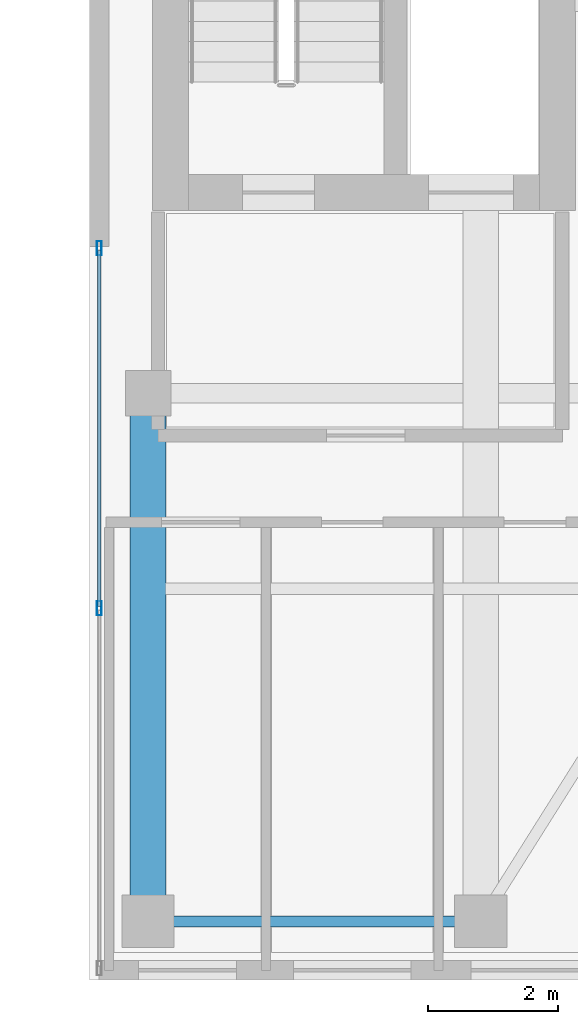
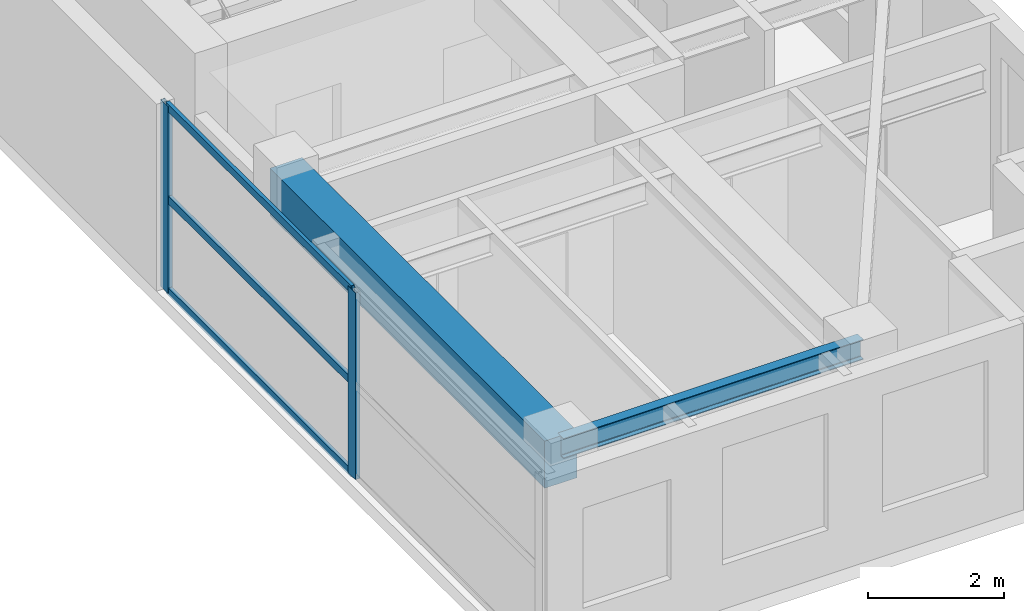
# One storey, part 5 of 23: 5 members, 2 beams, 1 element without a shape of its own.
"""IFC4 building model written with IfcOpenShell, lengths in metres."""

from ifc_helpers import new_model, si_unit, direction, frame, origin, origin_2d, place, context, subcontext, project, spatial, rectangle, hollow_rectangle, i_section, extrude, source, transform, mapped, material, layer, layer_set, material_profile, profile_set, type_object, element, aggregate, save


model = new_model("IFC4")

# Units and contexts
model_context = context("Model", 3, precision=1e-05, world=origin(), true_north=direction((0.0, 1.0)))
body_context = subcontext(model_context, "Body", "Model", "MODEL_VIEW")
ifc_project = project(units=[si_unit("LENGTHUNIT", "METRE"), si_unit("AREAUNIT", "SQUARE_METRE"), si_unit("VOLUMEUNIT", "CUBIC_METRE"), si_unit("PLANEANGLEUNIT", "RADIAN"), si_unit("MASSUNIT", "GRAM", prefix="KILO")], contexts=[model_context])

# Site, building, storey
site_placement = place(None, origin())
site = spatial("IfcSite", under=ifc_project, at=site_placement, CompositionType="ELEMENT")
building_placement = place(site_placement, origin())
building = spatial("IfcBuilding", under=site, at=building_placement, Name="Khoralis Quay Care Tower", CompositionType="ELEMENT")
storey_placement = place(building_placement, frame((0.0, 0.0, 252.89990234375)))
storey = spatial("IfcBuildingStorey", under=building, at=storey_placement, Name="L66", CompositionType="ELEMENT", Elevation=252.89990234375)

# Beams
ifc_material_1 = material(Name="Steel S355", Category="steel")
ifc_material_profile_1 = material_profile(ifc_material_1, i_section(OverallWidth=0.169921875, OverallDepth=0.360107421875, WebThickness=0.008056640625, FlangeThickness=0.0126953125, FilletRadius=0.01806640625, at=origin_2d()), Name="Steel S355")
ifc_profile_set_1 = profile_set([ifc_material_profile_1], Name="Steel S355")
beam_type_1 = type_object("IfcBeamType", Name="BM-IPE360", PredefinedType="SPANDREL", material=ifc_profile_set_1)
shared_shape_1 = source(origin(), body_context, "Body", "SweptSolid", [
    extrude(i_section(OverallWidth=0.169921875, OverallDepth=0.360107421875, WebThickness=0.008056640625, FlangeThickness=0.0126953125, FilletRadius=0.01806640625, at=origin_2d()), origin(), (0.0, 0.0, 1.0), 5.10009765625),
])
beam_1_placement = place(storey_placement, frame((30.89990234375, 3.89990234375, 3.18017578125), z_axis=(1.0, 0.0, 0.0), x_axis=(0.0, 1.0, 0.0)))
element("IfcBeam", 1, at=beam_1_placement, inside=storey, type_object=beam_type_1, Name="BM-TSP-L66-02", PredefinedType="SPANDREL", context=body_context, shape_type="MappedRepresentation", body=[
    mapped(shared_shape_1, transform((0.0, 0.0, 0.0), scale=1.0)),
])
ifc_material_2 = material(Name="Concrete C50/60", Category="concrete")
ifc_material_profile_2 = material_profile(ifc_material_2, rectangle(XDim=0.550048828125, YDim=0.85009765625, at=origin_2d()), Name="Concrete C50/60")
ifc_profile_set_2 = profile_set([ifc_material_profile_2], Name="Concrete C50/60")
beam_type_2 = type_object("IfcBeamType", Name="BM-RC550X850", PredefinedType="BEAM", material=ifc_profile_set_2)
shared_shape_2 = source(origin(), body_context, "Body", "SweptSolid", [
    extrude(rectangle(XDim=0.550048828125, YDim=0.85009765625, at=origin_2d()), origin(), (0.0, 0.0, 1.0), 8.10009765625),
])
beam_2_placement = place(storey_placement, frame((30.89990234375, 3.89990234375, 2.93505859375), z_axis=(0.0, 1.0, 0.0), x_axis=(-1.0, 0.0, 0.0)))
element("IfcBeam", 2, at=beam_2_placement, inside=storey, type_object=beam_type_2, Name="BM-TGYS-L66-309", PredefinedType="BEAM", context=body_context, shape_type="MappedRepresentation", body=[
    mapped(shared_shape_2, transform((0.0, 0.0, 0.0), scale=1.0)),
])

# Curtain wall, members
ifc_material_3 = material(Name="Pale anodised aluminium", Category="aluminium")
ifc_layer = layer(ifc_material_3, 0.18994140625)
ifc_layer_set = layer_set([ifc_layer], Name="Pale anodised aluminium")
curtain_wall_type = type_object("IfcCurtainWallType", Name="CW-SYS-PORTAL", PredefinedType="NOTDEFINED", material=ifc_layer_set)
curtain_wall_placement = place(storey_placement, origin())
curtain_wall = element("IfcCurtainWall", 3, at=curtain_wall_placement, inside=storey, type_object=curtain_wall_type, Name="L66 Unitised Curtain Wall CW-VP-L66-P2-S", PredefinedType="NOTDEFINED")
ifc_material_profile_3 = material_profile(ifc_material_3, hollow_rectangle(XDim=0.074951171875, YDim=0.219970703125, WallThickness=0.00390625, at=origin_2d()), Name="Pale anodised aluminium")
ifc_profile_set_3 = profile_set([ifc_material_profile_3], Name="Pale anodised aluminium")
member_type_1 = type_object("IfcMemberType", Name="CW-MUL-220", PredefinedType="MULLION", material=ifc_profile_set_3)
shared_shape_3 = source(origin(), body_context, "Body", "SweptSolid", [
    extrude(hollow_rectangle(XDim=0.074951171875, YDim=0.219970703125, WallThickness=0.00390625, at=origin_2d()), origin(), (0.0, 0.0, 1.0), 3.360107421875),
])
member_1_placement = place(storey_placement, frame((30.14990234375, 8.699951171875, 0.0), z_axis=(0.0, 0.0, 1.0), x_axis=(-1.0, 0.0, 0.0)))
member_1 = element("IfcMember", 4, at=member_1_placement, type_object=member_type_1, Name="CW4 mullion 2", PredefinedType="MULLION", context=body_context, shape_type="MappedRepresentation", body=[
    mapped(shared_shape_3, transform((0.0, 0.0, 0.0), scale=1.0)),
])
member_2_placement = place(storey_placement, frame((30.14990234375, 14.219970703125, 0.0), z_axis=(0.0, 0.0, 1.0), x_axis=(-1.0, 0.0, 0.0)))
member_2 = element("IfcMember", 5, at=member_2_placement, type_object=member_type_1, Name="CW4 mullion 3", PredefinedType="MULLION", context=body_context, shape_type="MappedRepresentation", body=[
    mapped(shared_shape_3, transform((0.0, 0.0, 0.0), scale=1.0)),
])
ifc_material_profile_4 = material_profile(ifc_material_3, hollow_rectangle(XDim=0.06005859375, YDim=0.139892578125, WallThickness=0.00390625, at=origin_2d()), Name="Pale anodised aluminium")
ifc_profile_set_4 = profile_set([ifc_material_profile_4], Name="Pale anodised aluminium")
member_type_2 = type_object("IfcMemberType", Name="CW-TRN-140", PredefinedType="USERDEFINED", material=ifc_profile_set_4)
shared_shape_4 = source(origin(), body_context, "Body", "SweptSolid", [
    extrude(hollow_rectangle(XDim=0.06005859375, YDim=0.139892578125, WallThickness=0.00390625, at=origin_2d()), origin(), (0.0, 0.0, 1.0), 5.4599609375),
])
member_3_placement = place(storey_placement, frame((30.14990234375, 8.72998046875, 0.030029296875), z_axis=(0.0, 1.0, 0.0), x_axis=(-1.0, 0.0, 0.0)))
member_3 = element("IfcMember", 6, at=member_3_placement, type_object=member_type_2, Name="CW4 transom 2.1", ObjectType="TRANSOM", PredefinedType="USERDEFINED", context=body_context, shape_type="MappedRepresentation", body=[
    mapped(shared_shape_4, transform((0.0, 0.0, 0.0), scale=1.0)),
])
member_4_placement = place(storey_placement, frame((30.14990234375, 8.72998046875, 1.68017578125), z_axis=(0.0, 1.0, 0.0), x_axis=(-1.0, 0.0, 0.0)))
member_4 = element("IfcMember", 7, at=member_4_placement, type_object=member_type_2, Name="CW4 transom 2.2", ObjectType="TRANSOM", PredefinedType="USERDEFINED", context=body_context, shape_type="MappedRepresentation", body=[
    mapped(shared_shape_4, transform((0.0, 0.0, 0.0), scale=1.0)),
])
member_5_placement = place(storey_placement, frame((30.14990234375, 8.72998046875, 3.330078125), z_axis=(0.0, 1.0, 0.0), x_axis=(-1.0, 0.0, 0.0)))
member_5 = element("IfcMember", 8, at=member_5_placement, type_object=member_type_2, Name="CW4 transom 2.3", ObjectType="TRANSOM", PredefinedType="USERDEFINED", context=body_context, shape_type="MappedRepresentation", body=[
    mapped(shared_shape_4, transform((0.0, 0.0, 0.0), scale=1.0)),
])
aggregate(curtain_wall, [member_1, member_2, member_3, member_4, member_5])

save(model, "model.ifc")
